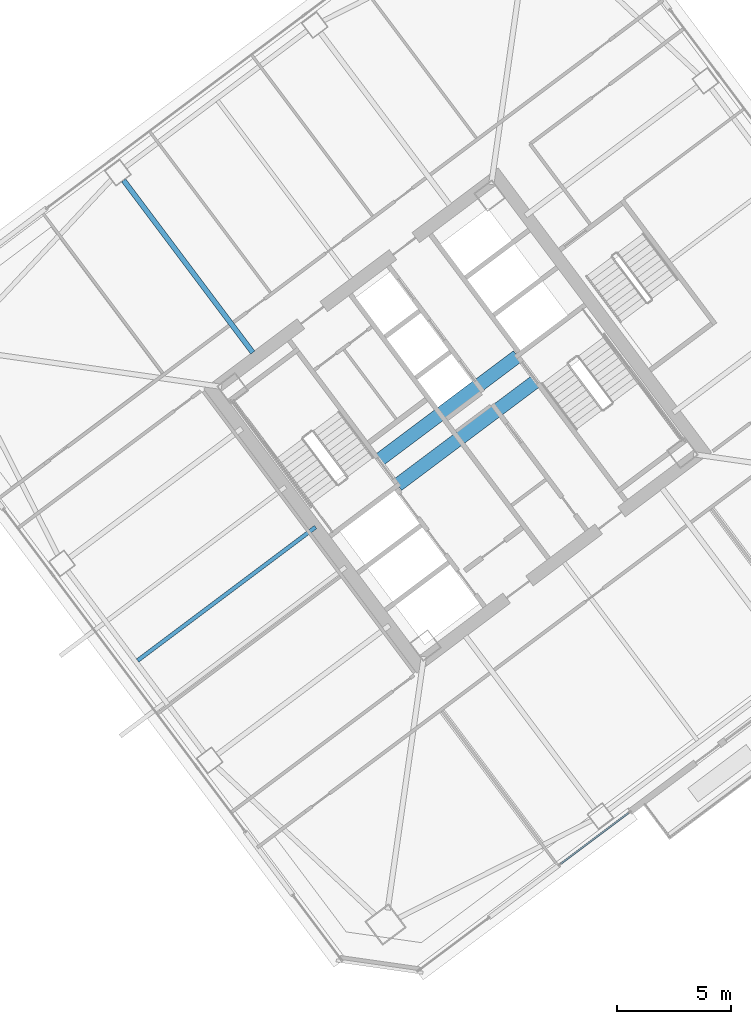
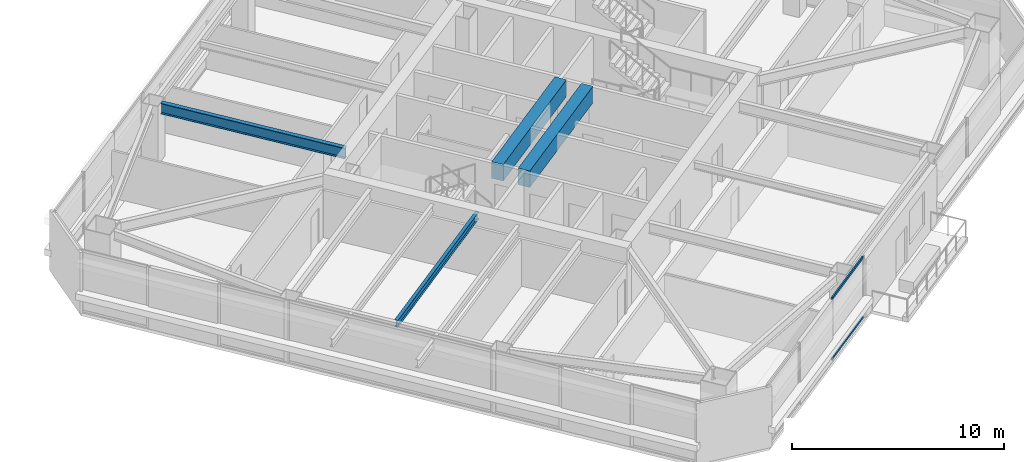
# One storey, part 26 of 46: 4 beams, 2 members, 1 element without a shape of its own.
"""IFC4 building model written with IfcOpenShell, lengths in metres."""

from ifc_helpers import new_model, si_unit, direction, frame, origin, origin_2d, place, context, subcontext, project, spatial, rectangle, hollow_rectangle, i_section, extrude, material, material_profile, profile_set, type_object, element, aggregate, save


model = new_model("IFC4")

# Units and contexts
model_context = context("Model", 3, precision=1e-05, world=origin(), true_north=direction((0.0, 1.0)))
body_context = subcontext(model_context, "Body", "Model", "MODEL_VIEW")
ifc_project = project(units=[si_unit("LENGTHUNIT", "METRE"), si_unit("AREAUNIT", "SQUARE_METRE"), si_unit("VOLUMEUNIT", "CUBIC_METRE"), si_unit("PLANEANGLEUNIT", "RADIAN"), si_unit("MASSUNIT", "GRAM", prefix="KILO")], contexts=[model_context])

# Site, building, storey
site_placement = place(None, origin())
site = spatial("IfcSite", under=ifc_project, at=site_placement, CompositionType="ELEMENT")
building_placement = place(site_placement, origin())
building = spatial("IfcBuilding", under=site, at=building_placement, Name="Tashvorn Skyway Center", CompositionType="ELEMENT")
storey_placement = place(building_placement, frame((0.0, 0.0, 139.25)))
storey = spatial("IfcBuildingStorey", under=building, at=storey_placement, Name="L37", CompositionType="ELEMENT", Elevation=139.25)

# Beams
ifc_material_1 = material(Name="Steel ASTM A992 Grade 50", Category="steel")
ifc_material_profile_1 = material_profile(ifc_material_1, i_section(OverallWidth=0.22998046875, OverallDepth=0.616943359375, WebThickness=0.01318359375, FlangeThickness=0.022216796875, at=origin_2d()), Name="W24X94")
ifc_profile_set_1 = profile_set([ifc_material_profile_1], Name="Steel ASTM A992 Grade 50")
beam_type_1 = type_object("IfcBeamType", Name="BM-BEAM-W24X94", PredefinedType="BEAM", material=ifc_profile_set_1)
beam_1_placement = place(storey_placement, frame((99.342041015625, 42.5439453125, 3.0615234375), z_axis=(0.599991732772, -0.800006200354, 0.0), x_axis=(0.800006200354, 0.599991732772, 0.0)))
element("IfcBeam", 1, at=beam_1_placement, inside=storey, type_object=beam_type_1, Name="Tower 2 L37 Primary Floor Girder FC-N2", PredefinedType="BEAM", context=body_context, shape_type="SweptSolid", body=[
    extrude(i_section(OverallWidth=0.22998046875, OverallDepth=0.616943359375, WebThickness=0.01318359375, FlangeThickness=0.022216796875, at=origin_2d()), origin(), (0.0, 0.0, 1.0), 9.449951171875),
])
ifc_material_profile_2 = material_profile(ifc_material_1, i_section(OverallWidth=0.177978515625, OverallDepth=0.406005859375, WebThickness=0.0078125, FlangeThickness=0.0126953125, at=origin_2d()), Name="W16X40")
ifc_profile_set_2 = profile_set([ifc_material_profile_2], Name="Steel ASTM A992 Grade 50")
beam_type_2 = type_object("IfcBeamType", Name="BM-JOIST-W16X40", PredefinedType="JOIST", material=ifc_profile_set_2)
beam_2_placement = place(storey_placement, frame((107.76806640625, 27.325927734375, 3.1669921875), z_axis=(-0.800006001881, -0.599991997409, 0.0), x_axis=(0.599991997409, -0.800006001881, 0.0)))
element("IfcBeam", 2, at=beam_2_placement, inside=storey, type_object=beam_type_2, Name="Tower 2 L37 Secondary Composite Joist JW", PredefinedType="JOIST", context=body_context, shape_type="SweptSolid", body=[
    extrude(i_section(OverallWidth=0.177978515625, OverallDepth=0.406005859375, WebThickness=0.0078125, FlangeThickness=0.0126953125, at=origin_2d()), origin(), (0.0, 0.0, 1.0), 9.762451171875),
])
ifc_material_2 = material(Name="Concrete C60/75", Category="concrete")
ifc_material_profile_3 = material_profile(ifc_material_2, rectangle(XDim=0.60009765625, YDim=0.949951171875, at=origin_2d()), Name="RCB600x950")
ifc_profile_set_3 = profile_set([ifc_material_profile_3], Name="Concrete C60/75")
beam_type_3 = type_object("IfcBeamType", Name="BM-LINTEL-RCB600x950", PredefinedType="LINTEL", material=ifc_profile_set_3)
for number, where, z_axis, x_axis, name in (
    (3, (110.552001953125, 30.263916015625, 2.89501953125), (0.8, 0.6, 0.0), (-0.6, 0.8, 0.0), "Tower 2 L37 Core Coupling Beam CN"),
    (4, (111.367919921875, 29.176025390625, 2.89501953125), (0.8, 0.6, 0.0), (-0.6, 0.8, 0.0), "Tower 2 L37 Core Coupling Beam CS"),
):
    element("IfcBeam", number, at=place(storey_placement, frame(where, z_axis=z_axis, x_axis=x_axis)), inside=storey, type_object=beam_type_3, Name=name, PredefinedType="LINTEL", context=body_context, shape_type="SweptSolid", body=[
        extrude(rectangle(XDim=0.60009765625, YDim=0.949951171875, at=origin_2d()), origin(), (0.0, 0.0, 1.0), 7.60009765625),
    ])

# Curtain wall, members
ifc_material_3 = material(Name="Thermally broken bronze-anodized aluminium 6063-T6", Category="aluminium")
curtain_wall_type = type_object("IfcCurtainWallType", Name="CW-CW-Z3", PredefinedType="NOTDEFINED", material=ifc_material_3)
curtain_wall_placement = place(storey_placement, origin())
curtain_wall = element("IfcCurtainWall", 5, at=curtain_wall_placement, inside=storey, type_object=curtain_wall_type, Name="Tower 2 L37 South Curtain Wall R Glazing Group 1", PredefinedType="NOTDEFINED")
ifc_material_profile_4 = material_profile(ifc_material_3, hollow_rectangle(XDim=0.074951171875, YDim=0.139892578125, WallThickness=0.004150390625, at=origin_2d()), Name="ALU-TRAN-75x140")
ifc_profile_set_4 = profile_set([ifc_material_profile_4], Name="Thermally broken bronze-anodized aluminium 6063-T6")
member_type = type_object("IfcMemberType", Name="CWT-CW-Z3", PredefinedType="USERDEFINED", material=ifc_profile_set_4)
member_1_placement = place(storey_placement, frame((121.508056640625, 14.781005859375, 0.03759765625), z_axis=(-0.8, -0.6, 0.0), x_axis=(0.6, -0.8, 0.0)))
member_1 = element("IfcMember", 6, at=member_1_placement, type_object=member_type, Name="CW-Z3 transom 1.1", ObjectType="TRANSOM", PredefinedType="USERDEFINED", context=body_context, shape_type="SweptSolid", body=[
    extrude(hollow_rectangle(XDim=0.074951171875, YDim=0.139892578125, WallThickness=0.004150390625, at=origin_2d()), origin(), (0.0, 0.0, 1.0), 3.726806640625),
])
member_2_placement = place(storey_placement, frame((121.508056640625, 14.781005859375, 3.512451171875), z_axis=(-0.8, -0.6, 0.0), x_axis=(0.6, -0.8, 0.0)))
member_2 = element("IfcMember", 7, at=member_2_placement, type_object=member_type, Name="CW-Z3 transom 1.2", ObjectType="TRANSOM", PredefinedType="USERDEFINED", context=body_context, shape_type="SweptSolid", body=[
    extrude(hollow_rectangle(XDim=0.074951171875, YDim=0.139892578125, WallThickness=0.004150390625, at=origin_2d()), origin(), (0.0, 0.0, 1.0), 3.726806640625),
])
aggregate(curtain_wall, [member_1, member_2])

save(model, "model.ifc")
